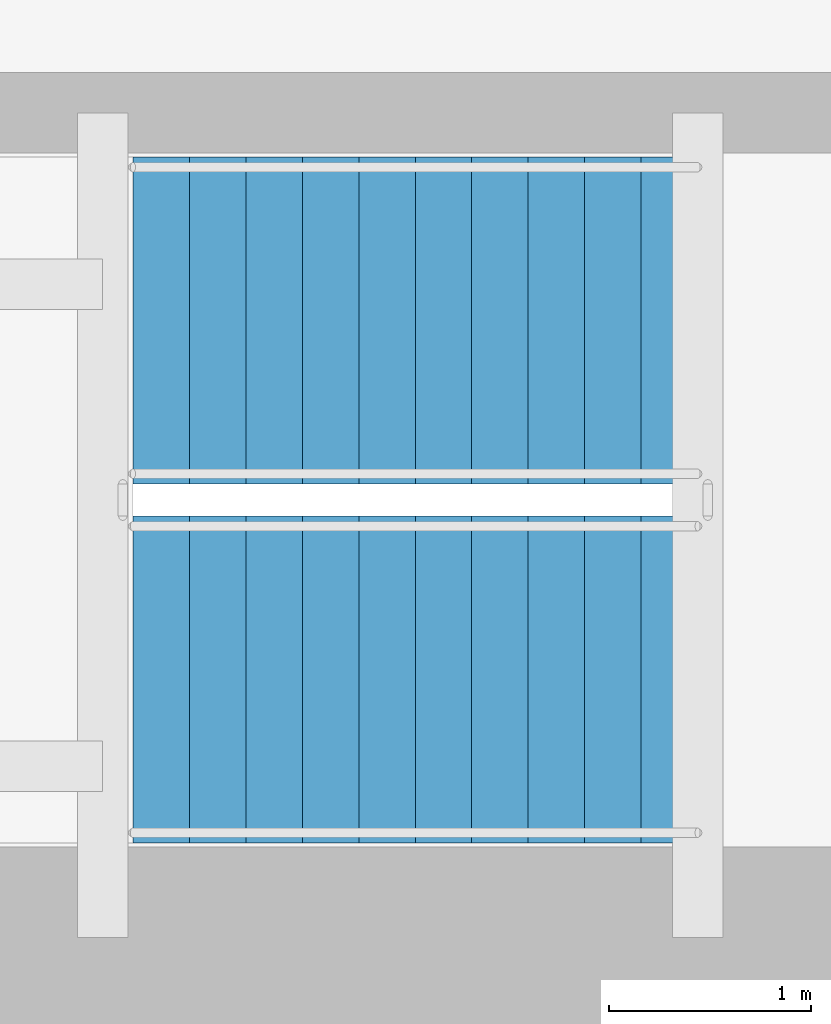
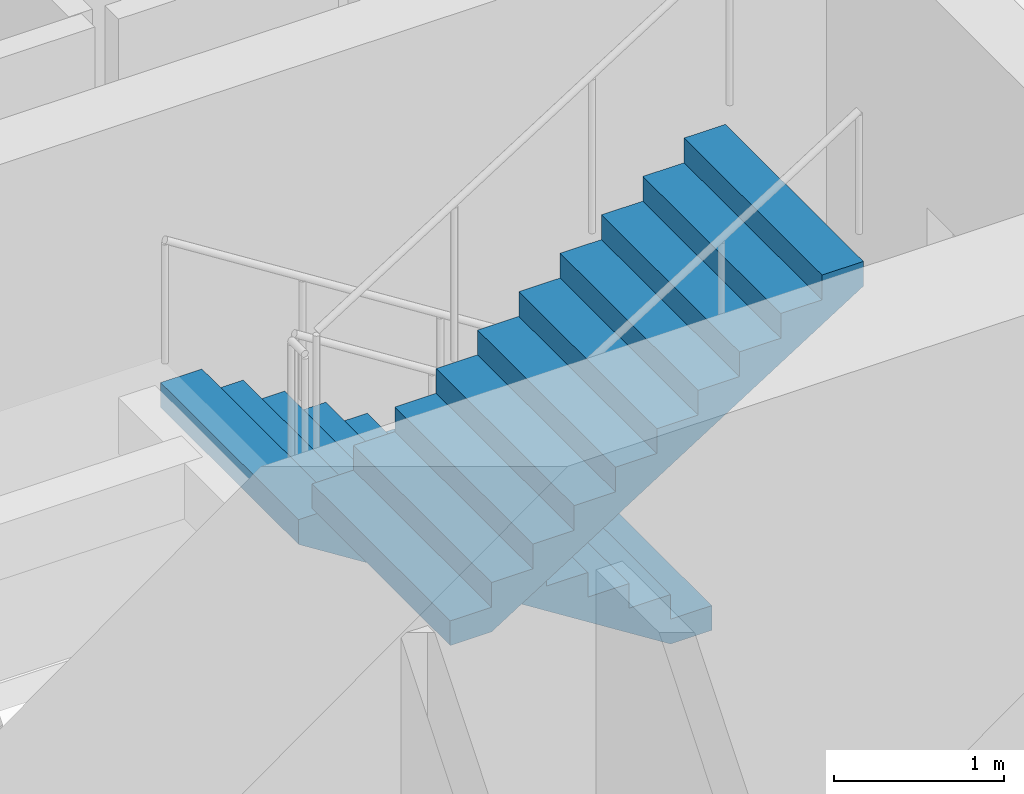
# One storey, part 9 of 14: 2 stair flights, 1 element without a shape of its own.
"""IFC4 building model written with IfcOpenShell, lengths in metres."""

from ifc_helpers import new_model, si_unit, direction, frame, origin, place, context, subcontext, project, spatial, polyline, outline, extrude, material, layer, layer_set, type_object, element, aggregate, save


model = new_model("IFC4")

# Units and contexts
model_context = context("Model", 3, precision=1e-05, world=origin(), true_north=direction((0.0, 1.0)))
body_context = subcontext(model_context, "Body", "Model", "MODEL_VIEW")
ifc_project = project(units=[si_unit("LENGTHUNIT", "METRE"), si_unit("AREAUNIT", "SQUARE_METRE"), si_unit("VOLUMEUNIT", "CUBIC_METRE"), si_unit("PLANEANGLEUNIT", "RADIAN"), si_unit("MASSUNIT", "GRAM", prefix="KILO")], contexts=[model_context])

# Site, building, storey
site_placement = place(None, origin())
site = spatial("IfcSite", under=ifc_project, at=site_placement, CompositionType="ELEMENT")
building_placement = place(site_placement, origin())
building = spatial("IfcBuilding", under=site, at=building_placement, Name="Qingluan Cross Belvedere", CompositionType="ELEMENT")
storey_placement = place(building_placement, frame((0.0, 0.0, 39.300048828125)))
storey = spatial("IfcBuildingStorey", under=building, at=storey_placement, Name="L10", CompositionType="ELEMENT", Elevation=39.300048828125)

# Stair, stair flights
ifc_material_1 = material(Name="Concrete C40", Category="concrete")
stair_type = type_object("IfcStairType", Name="CoreDoglegStair_1620", PredefinedType="HALF_TURN_STAIR", material=ifc_material_1)
stair_placement = place(storey_placement, origin())
stair = element("IfcStair", 1, at=stair_placement, inside=storey, type_object=stair_type, Name="L10 ST3", PredefinedType="HALF_TURN_STAIR")
ifc_material_2 = material(Name="Concrete C40", Category="concrete")
ifc_layer = layer(ifc_material_2, 0.179931640625, Name="StairFlight_RC180")
ifc_layer_set = layer_set([ifc_layer], Name="Concrete C40")
stair_flight_type = type_object("IfcStairFlightType", Name="StairFlight_RC180", PredefinedType="STRAIGHT", material=ifc_layer_set)
stair_flight_1_placement = place(storey_placement, frame((-6.179931640625, 8.010009765625, 0.0), z_axis=(0.0, 0.0, 1.0), x_axis=(-1.0, 0.0, 0.0)))
stair_flight_1 = element("IfcStairFlight", 2, at=stair_flight_1_placement, type_object=stair_flight_type, Name="ST3 flight 1", NumberOfRisers=11, NumberOfTreads=10, PredefinedType="STRAIGHT", RiserHeight=0.177272727, TreadLength=0.28, context=body_context, shape_type="SweptSolid", body=[
    extrude(outline(polyline([(0.0, 0.0), (0.0, 0.17724609375), (0.280029296875, 0.17724609375), (0.280029296875, 0.3544921875), (0.56005859375, 0.3544921875), (0.56005859375, 0.53173828125), (0.840087890625, 0.53173828125), (0.840087890625, 0.708984375), (1.1201171875, 0.708984375), (1.1201171875, 0.886474609375), (1.39990234375, 0.886474609375), (1.39990234375, 1.063720703125), (1.679931640625, 1.063720703125), (1.679931640625, 1.240966796875), (1.9599609375, 1.240966796875), (1.9599609375, 1.418212890625), (2.239990234375, 1.418212890625), (2.239990234375, 1.595458984375), (2.52001953125, 1.595458984375), (2.52001953125, 1.772705078125), (2.800048828125, 1.772705078125), (2.800048828125, 1.949951171875), (2.800048828125, 1.59521484375), (0.2802734375, 0.0), (0.0, 0.0)])), frame((0.0, 0.81005859375, 0.0), z_axis=(0.0, -1.0, 0.0), x_axis=(1.0, 0.0, 0.0)), (0.0, 0.0, 1.0), 1.6201171875),
])
stair_flight_2_placement = place(storey_placement, frame((-8.97998046875, 6.22998046875, 1.949951171875), z_axis=(0.0, 0.0, 1.0), x_axis=(1.0, 0.0, 0.0)))
stair_flight_2 = element("IfcStairFlight", 3, at=stair_flight_2_placement, type_object=stair_flight_type, Name="ST3 flight 2", NumberOfRisers=11, NumberOfTreads=10, PredefinedType="STRAIGHT", RiserHeight=0.177272727, TreadLength=0.28, context=body_context, shape_type="SweptSolid", body=[
    extrude(outline(polyline([(0.0, 0.0), (0.0, 0.17724609375), (0.280029296875, 0.17724609375), (0.280029296875, 0.3544921875), (0.56005859375, 0.3544921875), (0.56005859375, 0.53173828125), (0.840087890625, 0.53173828125), (0.840087890625, 0.708984375), (1.1201171875, 0.708984375), (1.1201171875, 0.886474609375), (1.39990234375, 0.886474609375), (1.39990234375, 1.063720703125), (1.679931640625, 1.063720703125), (1.679931640625, 1.240966796875), (1.9599609375, 1.240966796875), (1.9599609375, 1.418212890625), (2.239990234375, 1.418212890625), (2.239990234375, 1.595458984375), (2.52001953125, 1.595458984375), (2.52001953125, 1.772705078125), (2.800048828125, 1.772705078125), (2.800048828125, 1.949951171875), (2.800048828125, 1.59521484375), (0.2802734375, 0.0), (0.0, 0.0)])), frame((0.0, 0.81005859375, 0.0), z_axis=(0.0, -1.0, 0.0), x_axis=(1.0, 0.0, 0.0)), (0.0, 0.0, 1.0), 1.6201171875),
])
aggregate(stair, [stair_flight_1, stair_flight_2])

save(model, "model.ifc")
